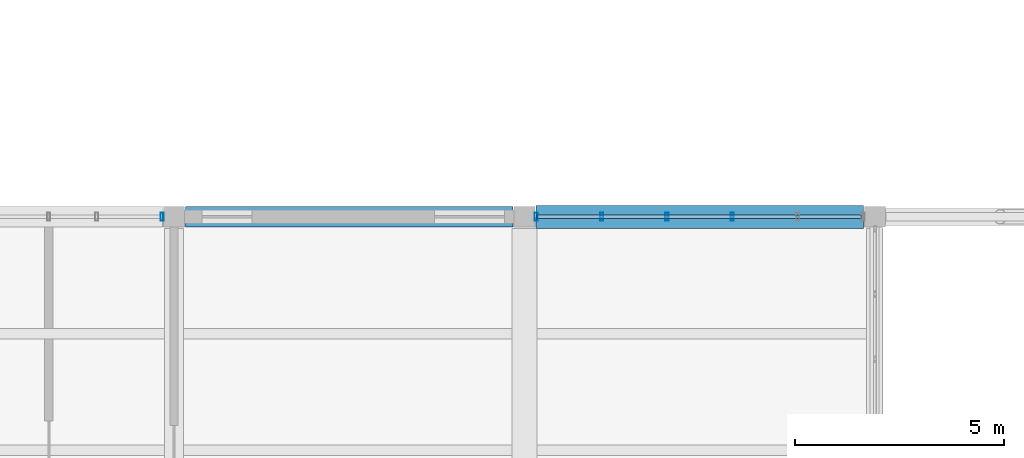
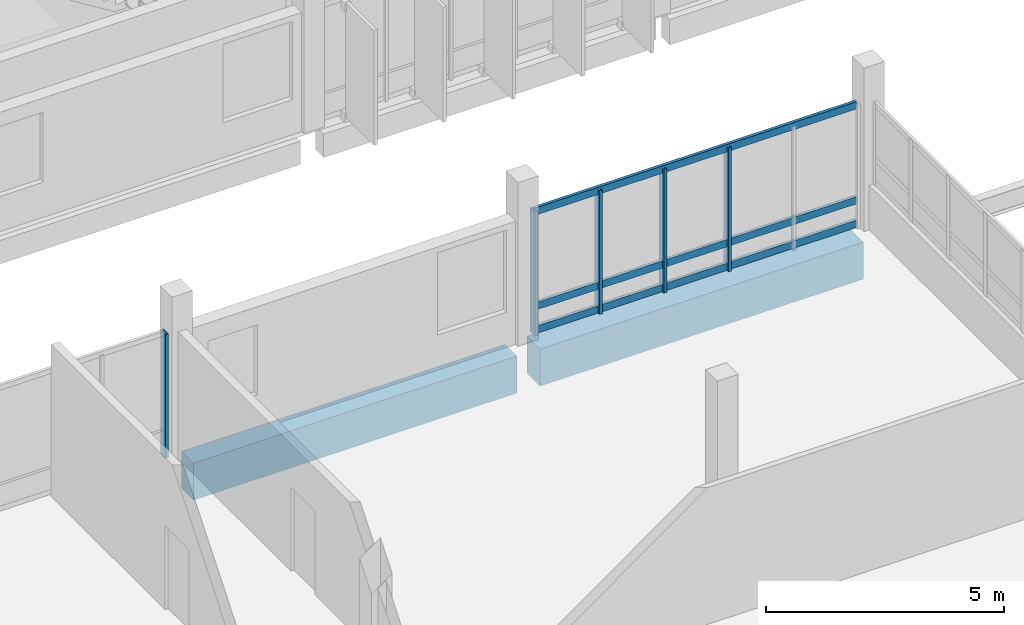
# One storey, part 35 of 107: 8 members, 2 beams, 2 elements without a shape of their own.
"""IFC4 building model written with IfcOpenShell, lengths in metres."""

from ifc_helpers import new_model, si_unit, direction, frame, origin, origin_2d, place, context, subcontext, project, spatial, rectangle, hollow_rectangle, extrude, material, layer, layer_set, material_profile, profile_set, type_object, element, aggregate, save


model = new_model("IFC4")

# Units and contexts
model_context = context("Model", 3, precision=1e-05, world=origin(), true_north=direction((0.0, 1.0)))
body_context = subcontext(model_context, "Body", "Model", "MODEL_VIEW")
ifc_project = project(units=[si_unit("LENGTHUNIT", "METRE"), si_unit("AREAUNIT", "SQUARE_METRE"), si_unit("VOLUMEUNIT", "CUBIC_METRE"), si_unit("PLANEANGLEUNIT", "RADIAN"), si_unit("MASSUNIT", "GRAM", prefix="KILO")], contexts=[model_context])

# Site, building, storey
site_placement = place(None, origin())
site = spatial("IfcSite", under=ifc_project, at=site_placement, CompositionType="ELEMENT")
building_placement = place(site_placement, origin())
building = spatial("IfcBuilding", under=site, at=building_placement, Name="Vireocrest Preparatory School", CompositionType="ELEMENT")
storey_placement = place(building_placement, frame((0.0, 0.0, 13.199951171875)))
storey = spatial("IfcBuildingStorey", under=building, at=storey_placement, Name="L03", CompositionType="ELEMENT", Elevation=13.199951171875)

# Curtain wall, member
ifc_material_1 = material(Name="Thermally broken aluminium EN AW-6063-T6", Category="aluminium")
ifc_layer_1 = layer(ifc_material_1, 0.179931640625)
ifc_layer_set_1 = layer_set([ifc_layer_1], Name="Thermally broken aluminium EN AW-6063-T6")
curtain_wall_type_1 = type_object("IfcCurtainWallType", Name="Botanical Lab Glazing 8400x3400", PredefinedType="USERDEFINED", material=ifc_layer_set_1)
curtain_wall_1_placement = place(storey_placement, origin())
curtain_wall_1 = element("IfcCurtainWall", 1, at=curtain_wall_1_placement, inside=storey, type_object=curtain_wall_type_1, Name="Curtain Wall CW15 CW_L03_CW15_0422_0858_132", ObjectType="CURTAIN WALL", PredefinedType="USERDEFINED")
ifc_material_profile_1 = material_profile(ifc_material_1, hollow_rectangle(XDim=0.074951171875, YDim=0.199951171875, WallThickness=0.0048828125, at=origin_2d()), Name="ALU 75x200x5")
ifc_profile_set_1 = profile_set([ifc_material_profile_1], Name="Thermally broken aluminium EN AW-6063-T6")
member_type_1 = type_object("IfcMemberType", Name="CW Mullion 75x200x5", PredefinedType="MULLION", material=ifc_profile_set_1)
member_1_placement = place(storey_placement, frame((50.114990234375, 85.800048828125, 0.0), z_axis=(0.0, 0.0, 1.0), x_axis=(1.0, 0.0, 0.0)))
member_1 = element("IfcMember", 2, at=member_1_placement, type_object=member_type_1, Name="CW Mullion ML3 CW_L03_CW15_0422_0858_132-6", PredefinedType="MULLION", context=body_context, shape_type="SweptSolid", body=[
    extrude(hollow_rectangle(XDim=0.074951171875, YDim=0.199951171875, WallThickness=0.0048828125, at=origin_2d()), origin(), (0.0, 0.0, 1.0), 3.175048828125),
])
aggregate(curtain_wall_1, [member_1])

# Curtain wall, members
ifc_layer_2 = layer(ifc_material_1, 0.179931640625)
ifc_layer_set_2 = layer_set([ifc_layer_2], Name="Thermally broken aluminium EN AW-6063-T6")
curtain_wall_type_2 = type_object("IfcCurtainWallType", Name="Library Reading Bay Glazing 7600x4200", PredefinedType="USERDEFINED", material=ifc_layer_set_2)
curtain_wall_2_placement = place(storey_placement, origin())
curtain_wall_2 = element("IfcCurtainWall", 3, at=curtain_wall_2_placement, inside=storey, type_object=curtain_wall_type_2, Name="Curtain Wall CW16 CW_L03_CW16_0590_0858_132", ObjectType="CURTAIN WALL", PredefinedType="USERDEFINED")
member_2_placement = place(storey_placement, frame((59.0849609375, 85.800048828125, 0.0), z_axis=(0.0, 0.0, 1.0), x_axis=(1.0, 0.0, 0.0)))
member_2 = element("IfcMember", 4, at=member_2_placement, type_object=member_type_1, Name="CW Mullion ML3 CW_L03_CW16_0590_0858_132-1", PredefinedType="MULLION", context=body_context, shape_type="SweptSolid", body=[
    extrude(hollow_rectangle(XDim=0.074951171875, YDim=0.199951171875, WallThickness=0.0048828125, at=origin_2d()), origin(), (0.0, 0.0, 1.0), 3.175048828125),
])
member_3_placement = place(storey_placement, frame((60.65087890625, 85.800048828125, 0.0), z_axis=(0.0, 0.0, 1.0), x_axis=(1.0, 0.0, 0.0)))
member_3 = element("IfcMember", 5, at=member_3_placement, type_object=member_type_1, Name="CW Mullion ML3 CW_L03_CW16_0590_0858_132-2", PredefinedType="MULLION", context=body_context, shape_type="SweptSolid", body=[
    extrude(hollow_rectangle(XDim=0.074951171875, YDim=0.199951171875, WallThickness=0.0048828125, at=origin_2d()), origin(), (0.0, 0.0, 1.0), 3.175048828125),
])
member_4_placement = place(storey_placement, frame((62.217041015625, 85.800048828125, 0.0), z_axis=(0.0, 0.0, 1.0), x_axis=(1.0, 0.0, 0.0)))
member_4 = element("IfcMember", 6, at=member_4_placement, type_object=member_type_1, Name="CW Mullion ML3 CW_L03_CW16_0590_0858_132-3", PredefinedType="MULLION", context=body_context, shape_type="SweptSolid", body=[
    extrude(hollow_rectangle(XDim=0.074951171875, YDim=0.199951171875, WallThickness=0.0048828125, at=origin_2d()), origin(), (0.0, 0.0, 1.0), 3.175048828125),
])
member_5_placement = place(storey_placement, frame((63.782958984375, 85.800048828125, 0.0), z_axis=(0.0, 0.0, 1.0), x_axis=(1.0, 0.0, 0.0)))
member_5 = element("IfcMember", 7, at=member_5_placement, type_object=member_type_1, Name="CW Mullion ML3 CW_L03_CW16_0590_0858_132-4", PredefinedType="MULLION", context=body_context, shape_type="SweptSolid", body=[
    extrude(hollow_rectangle(XDim=0.074951171875, YDim=0.199951171875, WallThickness=0.0048828125, at=origin_2d()), origin(), (0.0, 0.0, 1.0), 3.175048828125),
])
ifc_material_profile_2 = material_profile(ifc_material_1, hollow_rectangle(XDim=0.074951171875, YDim=0.18994140625, WallThickness=0.00390625, at=origin_2d()), Name="ALU 75x190x4")
ifc_profile_set_2 = profile_set([ifc_material_profile_2], Name="Thermally broken aluminium EN AW-6063-T6")
member_type_2 = type_object("IfcMemberType", Name="CW Transom 75x190x4", PredefinedType="USERDEFINED", material=ifc_profile_set_2)
member_6_placement = place(storey_placement, frame((59.110107421875, 85.800048828125, 0.094970703125), z_axis=(1.0, 0.0, 0.0), x_axis=(0.0, 1.0, 0.0)))
member_6 = element("IfcMember", 8, at=member_6_placement, type_object=member_type_2, Name="CW Transom TR3 CW_L03_CW16_0590_0858_132-1", ObjectType="TRANSOM", PredefinedType="USERDEFINED", context=body_context, shape_type="SweptSolid", body=[
    extrude(hollow_rectangle(XDim=0.074951171875, YDim=0.18994140625, WallThickness=0.00390625, at=origin_2d()), origin(), (0.0, 0.0, 1.0), 7.77978515625),
])
member_7_placement = place(storey_placement, frame((59.110107421875, 85.800048828125, 0.699951171875), z_axis=(1.0, 0.0, 0.0), x_axis=(0.0, 1.0, 0.0)))
member_7 = element("IfcMember", 9, at=member_7_placement, type_object=member_type_2, Name="CW Transom TR3 CW_L03_CW16_0590_0858_132-2", ObjectType="TRANSOM", PredefinedType="USERDEFINED", context=body_context, shape_type="SweptSolid", body=[
    extrude(hollow_rectangle(XDim=0.074951171875, YDim=0.18994140625, WallThickness=0.00390625, at=origin_2d()), origin(), (0.0, 0.0, 1.0), 7.77978515625),
])
member_8_placement = place(storey_placement, frame((59.110107421875, 85.800048828125, 3.135009765625), z_axis=(1.0, 0.0, 0.0), x_axis=(0.0, 1.0, 0.0)))
member_8 = element("IfcMember", 10, at=member_8_placement, type_object=member_type_2, Name="CW Transom TR3 CW_L03_CW16_0590_0858_132-3", ObjectType="TRANSOM", PredefinedType="USERDEFINED", context=body_context, shape_type="SweptSolid", body=[
    extrude(hollow_rectangle(XDim=0.074951171875, YDim=0.18994140625, WallThickness=0.00390625, at=origin_2d()), origin(), (0.0, 0.0, 1.0), 7.77978515625),
])
aggregate(curtain_wall_2, [member_2, member_3, member_4, member_5, member_6, member_7, member_8])

# Beams
ifc_material_2 = material(Name="Concrete 40 MPa", Category="concrete")
ifc_material_profile_3 = material_profile(ifc_material_2, rectangle(XDim=0.5, YDim=0.949951171875, at=origin_2d()), Name="RC 500x950")
ifc_profile_set_3 = profile_set([ifc_material_profile_3], Name="Concrete 40 MPa")
beam_type_1 = type_object("IfcBeamType", Name="RC Basement Ceiling Girder 500x950", PredefinedType="BEAM", material=ifc_profile_set_3)
beam_1_placement = place(storey_placement, frame((50.675048828125, 85.800048828125, -0.71484375), z_axis=(1.0, 0.0, 0.0), x_axis=(0.0, 1.0, 0.0)))
element("IfcBeam", 11, at=beam_1_placement, inside=storey, type_object=beam_type_1, Name="Primary Girder B16 L03-1076", PredefinedType="BEAM", context=body_context, shape_type="SweptSolid", body=[
    extrude(rectangle(XDim=0.5, YDim=0.949951171875, at=origin_2d()), origin(), (0.0, 0.0, 1.0), 7.849853515625),
])
ifc_material_profile_4 = material_profile(ifc_material_2, rectangle(XDim=0.550048828125, YDim=0.949951171875, at=origin_2d()), Name="RC 550x950")
ifc_profile_set_4 = profile_set([ifc_material_profile_4], Name="Concrete 40 MPa")
beam_type_2 = type_object("IfcBeamType", Name="RC Setback Edge Girder 550x950", PredefinedType="BEAM", material=ifc_profile_set_4)
beam_2_placement = place(storey_placement, frame((59.074951171875, 85.800048828125, -0.71484375), z_axis=(1.0, 0.0, 0.0), x_axis=(0.0, 1.0, 0.0)))
element("IfcBeam", 12, at=beam_2_placement, inside=storey, type_object=beam_type_2, Name="Primary Girder B17 L03-1077", PredefinedType="BEAM", context=body_context, shape_type="SweptSolid", body=[
    extrude(rectangle(XDim=0.550048828125, YDim=0.949951171875, at=origin_2d()), origin(), (0.0, 0.0, 1.0), 7.85009765625),
])

save(model, "model.ifc")
